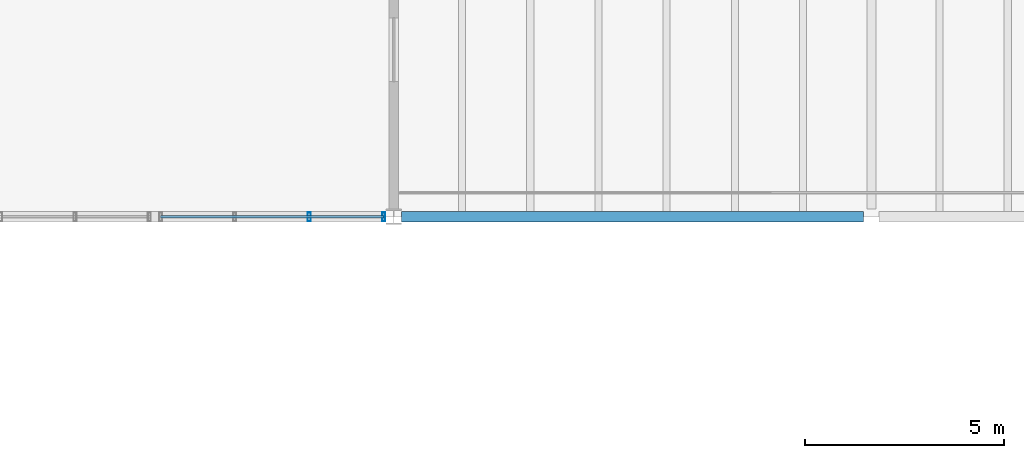
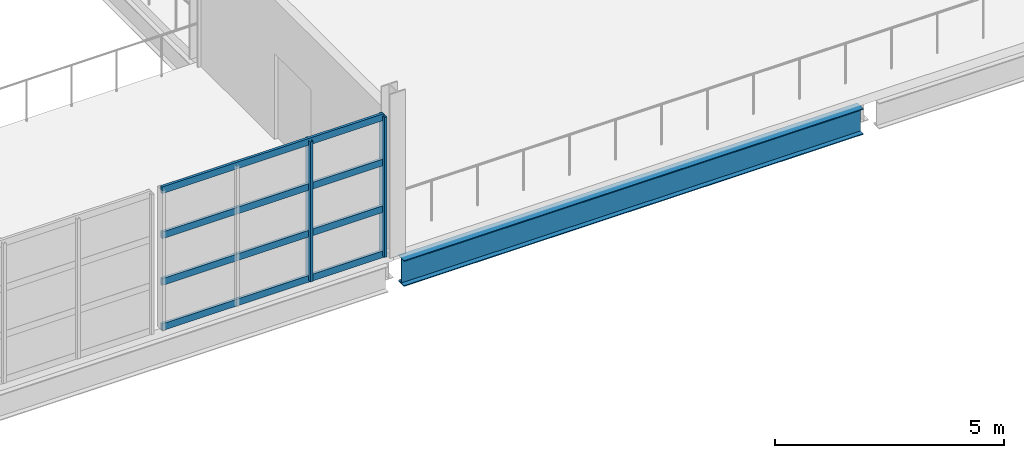
# One storey, part 18 of 78: 6 members, 1 beam, 1 element without a shape of its own.
"""IFC4 building model written with IfcOpenShell, lengths in metres."""

from ifc_helpers import new_model, si_unit, direction, frame, origin, origin_2d, place, context, subcontext, project, spatial, hollow_rectangle, i_section, extrude, material, material_profile, profile_set, type_object, element, aggregate, save


model = new_model("IFC4")

# Units and contexts
model_context = context("Model", 3, precision=1e-05, world=origin(), true_north=direction((0.0, 1.0)))
body_context = subcontext(model_context, "Body", "Model", "MODEL_VIEW")
ifc_project = project(units=[si_unit("LENGTHUNIT", "METRE"), si_unit("AREAUNIT", "SQUARE_METRE"), si_unit("VOLUMEUNIT", "CUBIC_METRE"), si_unit("PLANEANGLEUNIT", "RADIAN"), si_unit("MASSUNIT", "GRAM", prefix="KILO")], contexts=[model_context])

# Site, building, storey
site_placement = place(None, origin())
site = spatial("IfcSite", under=ifc_project, at=site_placement, CompositionType="ELEMENT")
building_placement = place(site_placement, origin())
building = spatial("IfcBuilding", under=site, at=building_placement, Name="Kelmvaro Bay Concert Hall", CompositionType="ELEMENT")
storey_placement = place(building_placement, frame((0.0, 0.0, 9.300048828125)))
storey = spatial("IfcBuildingStorey", under=building, at=storey_placement, Name="L02", CompositionType="ELEMENT", Elevation=9.300048828125)

# Curtain wall, members
ifc_material_1 = material(Name="Anodised Aluminium and Low-E Insulated Glazing", Category="aluminium")
curtain_wall_type = type_object("IfcCurtainWallType", Name="Upper Salon Waterfront Curtain Wall 4050", PredefinedType="USERDEFINED", material=ifc_material_1)
curtain_wall_placement = place(storey_placement, origin())
curtain_wall = element("IfcCurtainWall", 1, at=curtain_wall_placement, inside=storey, type_object=curtain_wall_type, Name="Unitised Curtain Wall CW-L02-081", ObjectType="UNITISED GLAZING", PredefinedType="USERDEFINED")
ifc_material_2 = material(Name="Anodised Extruded Aluminium 6063-T6", Category="aluminium")
ifc_material_profile_1 = material_profile(ifc_material_2, hollow_rectangle(XDim=0.074951171875, YDim=0.219970703125, WallThickness=0.00439453125, at=origin_2d()), Name="ALU-MUL-220X75")
ifc_profile_set_1 = profile_set([ifc_material_profile_1], Name="Anodised Extruded Aluminium 6063-T6")
member_type_1 = type_object("IfcMemberType", Name="Curtain Mullion Heavy ALU 220x75", PredefinedType="MULLION", material=ifc_profile_set_1)
member_1_placement = place(storey_placement, frame((83.74560546875, 7.199951171875, 0.0), z_axis=(0.0, 0.0, 1.0), x_axis=(1.0, 0.0, 0.0)))
member_1 = element("IfcMember", 2, at=member_1_placement, type_object=member_type_1, Name="CW-L02-081 Mullion 01", PredefinedType="MULLION", context=body_context, shape_type="SweptSolid", body=[
    extrude(hollow_rectangle(XDim=0.074951171875, YDim=0.219970703125, WallThickness=0.00439453125, at=origin_2d()), origin(), (0.0, 0.0, 1.0), 3.739013671875),
])
member_2_placement = place(storey_placement, frame((81.876953125, 7.199951171875, 0.0), z_axis=(0.0, 0.0, 1.0), x_axis=(1.0, 0.0, 0.0)))
member_2 = element("IfcMember", 3, at=member_2_placement, type_object=member_type_1, Name="CW-L02-081 Mullion 02", PredefinedType="MULLION", context=body_context, shape_type="SweptSolid", body=[
    extrude(hollow_rectangle(XDim=0.074951171875, YDim=0.219970703125, WallThickness=0.00439453125, at=origin_2d()), origin(), (0.0, 0.0, 1.0), 3.739013671875),
])
ifc_material_3 = material(Name="Anodised Extruded Aluminium 6063-T6", Category="aluminium")
ifc_material_profile_2 = material_profile(ifc_material_3, hollow_rectangle(XDim=0.06494140625, YDim=0.179931640625, WallThickness=0.00439453125, at=origin_2d()), Name="ALU-TRN-180X65")
ifc_profile_set_2 = profile_set([ifc_material_profile_2], Name="Anodised Extruded Aluminium 6063-T6")
member_type_2 = type_object("IfcMemberType", Name="Curtain Transom Heavy ALU 180x65", PredefinedType="USERDEFINED", material=ifc_profile_set_2)
member_3_placement = place(storey_placement, frame((83.74560546875, 7.199951171875, 0.0400390625), z_axis=(-1.0, 0.0, 0.0), x_axis=(0.0, -1.0, 0.0)))
member_3 = element("IfcMember", 4, at=member_3_placement, type_object=member_type_2, Name="CW-L02-081 Transom 01", ObjectType="TRANSOM", PredefinedType="USERDEFINED", context=body_context, shape_type="SweptSolid", body=[
    extrude(hollow_rectangle(XDim=0.06494140625, YDim=0.179931640625, WallThickness=0.00439453125, at=origin_2d()), origin(), (0.0, 0.0, 1.0), 5.605712890625),
])
member_4_placement = place(storey_placement, frame((83.74560546875, 7.199951171875, 1.246337890625), z_axis=(-1.0, 0.0, 0.0), x_axis=(0.0, -1.0, 0.0)))
member_4 = element("IfcMember", 5, at=member_4_placement, type_object=member_type_2, Name="CW-L02-081 Transom 02", ObjectType="TRANSOM", PredefinedType="USERDEFINED", context=body_context, shape_type="SweptSolid", body=[
    extrude(hollow_rectangle(XDim=0.06494140625, YDim=0.179931640625, WallThickness=0.00439453125, at=origin_2d()), origin(), (0.0, 0.0, 1.0), 5.605712890625),
])
member_5_placement = place(storey_placement, frame((83.74560546875, 7.199951171875, 2.49267578125), z_axis=(-1.0, 0.0, 0.0), x_axis=(0.0, -1.0, 0.0)))
member_5 = element("IfcMember", 6, at=member_5_placement, type_object=member_type_2, Name="CW-L02-081 Transom 03", ObjectType="TRANSOM", PredefinedType="USERDEFINED", context=body_context, shape_type="SweptSolid", body=[
    extrude(hollow_rectangle(XDim=0.06494140625, YDim=0.179931640625, WallThickness=0.00439453125, at=origin_2d()), origin(), (0.0, 0.0, 1.0), 5.605712890625),
])
member_6_placement = place(storey_placement, frame((83.74560546875, 7.199951171875, 3.698974609375), z_axis=(-1.0, 0.0, 0.0), x_axis=(0.0, -1.0, 0.0)))
member_6 = element("IfcMember", 7, at=member_6_placement, type_object=member_type_2, Name="CW-L02-081 Transom 04", ObjectType="TRANSOM", PredefinedType="USERDEFINED", context=body_context, shape_type="SweptSolid", body=[
    extrude(hollow_rectangle(XDim=0.06494140625, YDim=0.179931640625, WallThickness=0.00439453125, at=origin_2d()), origin(), (0.0, 0.0, 1.0), 5.605712890625),
])
aggregate(curtain_wall, [member_1, member_2, member_3, member_4, member_5, member_6])

# Beam
ifc_material_4 = material(Name="Steel ASTM A992 Grade 50", Category="steel")
ifc_material_profile_3 = material_profile(ifc_material_4, i_section(OverallWidth=0.256103515625, OverallDepth=0.693115234375, WebThickness=0.014404296875, FlangeThickness=0.023681640625, at=origin_2d()), Name="W27X114")
ifc_profile_set_3 = profile_set([ifc_material_profile_3], Name="Steel ASTM A992 Grade 50")
beam_type = type_object("IfcBeamType", Name="Foyer Primary Girder W27x114", PredefinedType="BEAM", material=ifc_profile_set_3)
beam_placement = place(storey_placement, frame((84.199462890625, 7.199951171875, -0.586669921875), z_axis=(1.0, 0.0, 0.0), x_axis=(0.0, 1.0, 0.0)))
element("IfcBeam", 8, at=beam_placement, inside=storey, type_object=beam_type, Name="L02 Girder BM-L02-EW-0690", PredefinedType="BEAM", context=body_context, shape_type="SweptSolid", body=[
    extrude(i_section(OverallWidth=0.256103515625, OverallDepth=0.693115234375, WebThickness=0.014404296875, FlangeThickness=0.023681640625, at=origin_2d()), origin(), (0.0, 0.0, 1.0), 11.6025390625),
])

save(model, "model.ifc")
